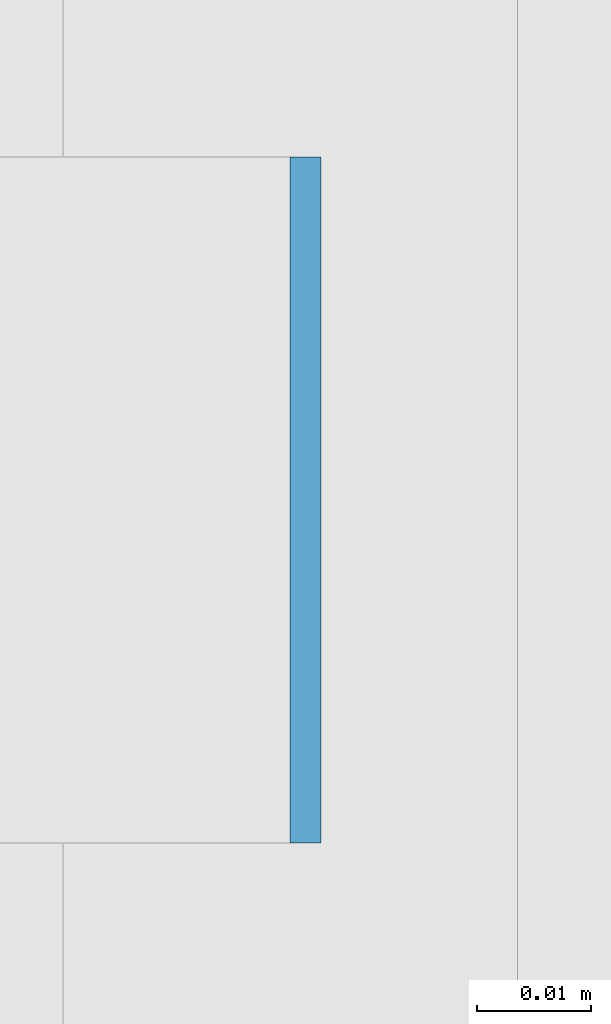
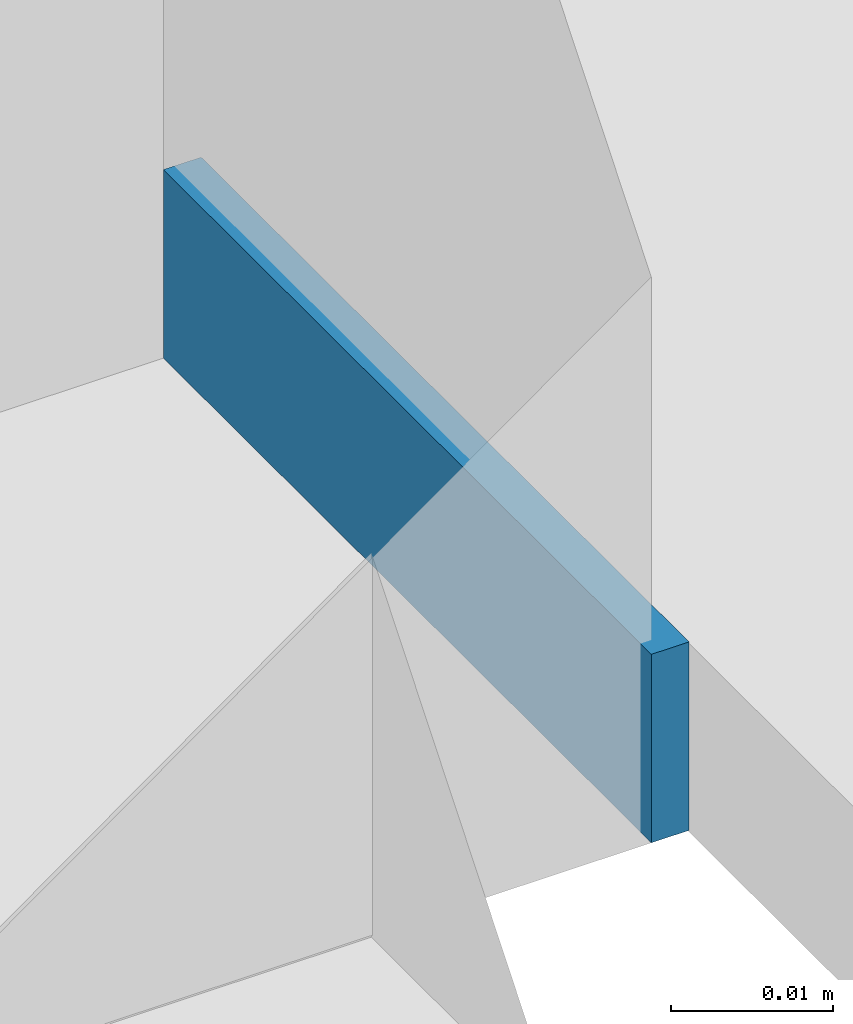
# One storey, part 260 of 646: 1 discrete accessory.
"""IFC4 building model written with IfcOpenShell, lengths in metres."""

from ifc_helpers import new_model, si_unit, direction, frame, origin, origin_2d, place, context, subcontext, project, spatial, rectangle, extrude, material, type_object, element, save


model = new_model("IFC4")

# Units and contexts
model_context = context("Model", 3, precision=1e-05, world=origin(), true_north=direction((0.0, 1.0)))
body_context = subcontext(model_context, "Body", "Model", "MODEL_VIEW")
ifc_project = project(units=[si_unit("LENGTHUNIT", "METRE"), si_unit("AREAUNIT", "SQUARE_METRE"), si_unit("VOLUMEUNIT", "CUBIC_METRE"), si_unit("PLANEANGLEUNIT", "RADIAN"), si_unit("MASSUNIT", "GRAM", prefix="KILO")], contexts=[model_context])

# Site, building, storey
site_placement = place(None, origin())
site = spatial("IfcSite", under=ifc_project, at=site_placement, CompositionType="ELEMENT")
building_placement = place(site_placement, origin())
building = spatial("IfcBuilding", under=site, at=building_placement, Name="Silverbay Arena", CompositionType="ELEMENT")
storey_placement = place(building_placement, frame((0.0, 0.0, 33.5)))
storey = spatial("IfcBuildingStorey", under=building, at=storey_placement, Name="L05", CompositionType="ELEMENT", Elevation=33.5)

# Discrete accessory
ifc_material = material(Name="Steel S355", Category="steel")
discrete_accessory_type = type_object("IfcDiscreteAccessoryType", Name="Steel bracket plate", PredefinedType="BRACKET", material=ifc_material)
discrete_accessory_placement = place(storey_placement, frame((53.871337890625, 39.857177734375, 4.0), z_axis=(0.0, 0.0, 1.0), x_axis=(1.0, 0.0, 0.0)))
element("IfcDiscreteAccessory", 1, at=discrete_accessory_placement, inside=storey, type_object=discrete_accessory_type, Name="Curtain wall packing plate", PredefinedType="BRACKET", context=body_context, shape_type="SweptSolid", body=[
    extrude(rectangle(XDim=0.002685546875, YDim=0.06005859375, at=origin_2d()), origin(), (0.0, 0.0, 1.0), 0.01416015625),
])

save(model, "model.ifc")
